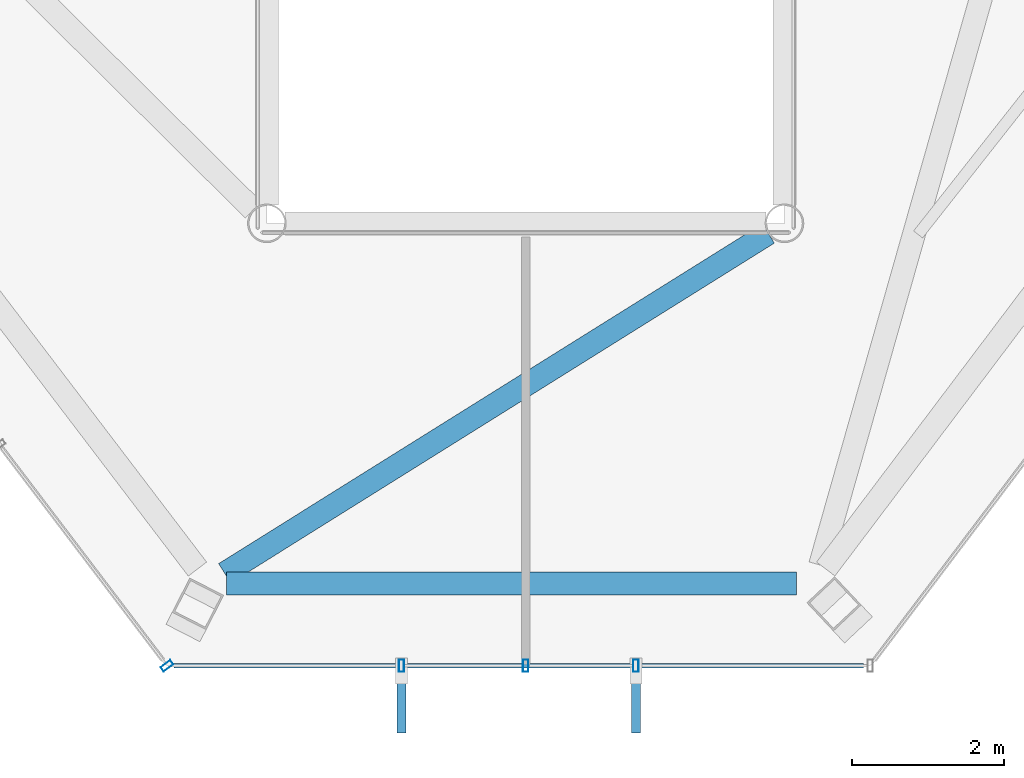
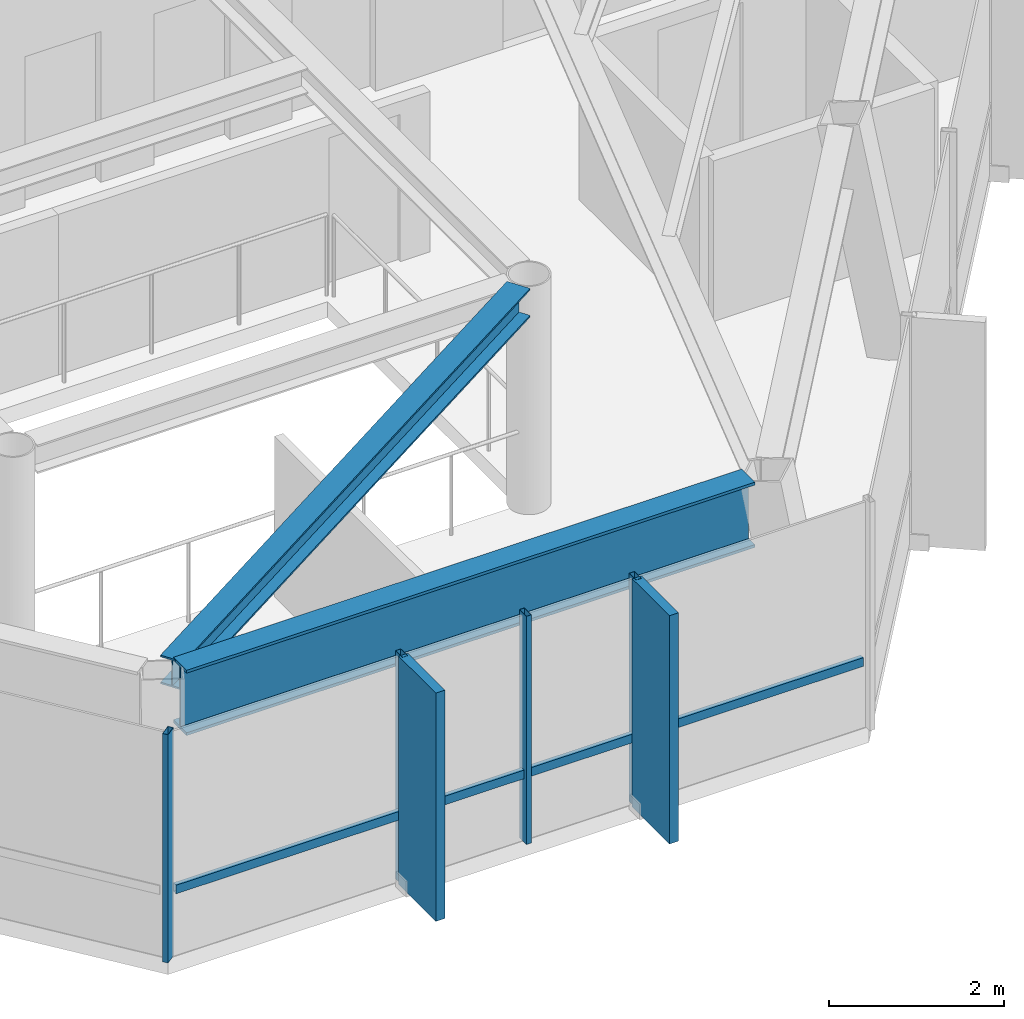
# One storey, part 5 of 25: 7 members, 2 beams, 2 elements without a shape of their own.
"""IFC4 building model written with IfcOpenShell, lengths in metres."""

from ifc_helpers import new_model, si_unit, direction, frame, origin, origin_2d, place, context, subcontext, project, spatial, rectangle, hollow_rectangle, i_section, extrude, material, layer, layer_set, material_profile, profile_set, type_object, element, aggregate, save


model = new_model("IFC4")

# Units and contexts
model_context = context("Model", 3, precision=1e-05, world=origin(), true_north=direction((0.0, 1.0)))
body_context = subcontext(model_context, "Body", "Model", "MODEL_VIEW")
ifc_project = project(units=[si_unit("LENGTHUNIT", "METRE"), si_unit("AREAUNIT", "SQUARE_METRE"), si_unit("VOLUMEUNIT", "CUBIC_METRE"), si_unit("PLANEANGLEUNIT", "RADIAN"), si_unit("MASSUNIT", "GRAM", prefix="KILO")], contexts=[model_context])

# Site, building, storey
site_placement = place(None, origin())
site = spatial("IfcSite", under=ifc_project, at=site_placement, CompositionType="ELEMENT")
building_placement = place(site_placement, origin())
building = spatial("IfcBuilding", under=site, at=building_placement, Name="Zarrinselat Tower", CompositionType="ELEMENT")
storey_placement = place(building_placement, frame((0.0, 0.0, 275.39990234375)))
storey = spatial("IfcBuildingStorey", under=building, at=storey_placement, Name="L70", CompositionType="ELEMENT", Elevation=275.39990234375)

# Beams
ifc_material_1 = material(Name="Steel S355J2", Category="steel")
ifc_material_profile_1 = material_profile(ifc_material_1, i_section(OverallWidth=0.300048828125, OverallDepth=0.39990234375, WebThickness=0.013427734375, FlangeThickness=0.02392578125, at=origin_2d()), Name="HEB 400")
ifc_profile_set_1 = profile_set([ifc_material_profile_1], Name="Steel S355J2")
beam_type_1 = type_object("IfcBeamType", Name="BM-HEB400", PredefinedType="BEAM", material=ifc_profile_set_1)
beam_1_placement = place(storey_placement, frame((34.44580078125, 20.602783203125, 2.97998046875), z_axis=(0.847955962222, 0.530066680835, 0.0), x_axis=(-0.530066680835, 0.847955962222, 0.0)))
element("IfcBeam", 1, at=beam_1_placement, inside=storey, type_object=beam_type_1, Name="L70 Radial Primary Girder RG10", PredefinedType="BEAM", context=body_context, shape_type="SweptSolid", body=[
    extrude(i_section(OverallWidth=0.300048828125, OverallDepth=0.39990234375, WebThickness=0.013427734375, FlangeThickness=0.02392578125, at=origin_2d()), origin(), (0.0, 0.0, 1.0), 8.422607421875),
])
ifc_material_2 = material(Name="Steel S460M", Category="steel")
ifc_material_profile_2 = material_profile(ifc_material_2, i_section(OverallWidth=0.302001953125, OverallDepth=0.909912109375, WebThickness=0.02099609375, FlangeThickness=0.0400390625, at=origin_2d()), Name="HEM 900")
ifc_profile_set_2 = profile_set([ifc_material_profile_2], Name="Steel S460M")
beam_type_2 = type_object("IfcBeamType", Name="BM-HEM900", PredefinedType="BEAM", material=ifc_profile_set_2)
beam_2_placement = place(storey_placement, frame((34.469970703125, 20.468994140625, 2.72509765625), z_axis=(1.0, 0.0, 0.0), x_axis=(0.0, 1.0, 0.0)))
element("IfcBeam", 2, at=beam_2_placement, inside=storey, type_object=beam_type_2, Name="L70 Perimeter Spandrel Girder SP10", PredefinedType="BEAM", context=body_context, shape_type="SweptSolid", body=[
    extrude(i_section(OverallWidth=0.302001953125, OverallDepth=0.909912109375, WebThickness=0.02099609375, FlangeThickness=0.0400390625, at=origin_2d()), origin(), (0.0, 0.0, 1.0), 7.490966796875),
])

# Curtain wall, member
ifc_material_3 = material(Name="Extruded Aluminium Alloy EN AW-6063 T6", Category="aluminium")
ifc_layer = layer(ifc_material_3, 0.169921875)
ifc_layer_set = layer_set([ifc_layer], Name="Extruded Aluminium Alloy EN AW-6063 T6")
curtain_wall_type = type_object("IfcCurtainWallType", Name="CWS-RES", PredefinedType="NOTDEFINED", material=ifc_layer_set)
curtain_wall_1_placement = place(storey_placement, origin())
curtain_wall_1 = element("IfcCurtainWall", 3, at=curtain_wall_1_placement, inside=storey, type_object=curtain_wall_type, Name="L70 Unitised Curtain Wall CW-L70-E03", PredefinedType="NOTDEFINED")
ifc_material_4 = material(Name="Extruded Aluminium Alloy EN AW-6063 T6", Category="aluminium")
ifc_material_profile_3 = material_profile(ifc_material_4, hollow_rectangle(XDim=0.070068359375, YDim=0.159912109375, WallThickness=0.00390625, at=origin_2d()), Name="RHS 160x70x4")
ifc_profile_set_3 = profile_set([ifc_material_profile_3], Name="Extruded Aluminium Alloy EN AW-6063 T6")
member_type_1 = type_object("IfcMemberType", Name="MEM-CW-MUL2", PredefinedType="MULLION", material=ifc_profile_set_3)
member_1_placement = place(storey_placement, frame((33.6884765625, 19.387939453125, 0.0), z_axis=(0.0, 0.0, 1.0), x_axis=(0.604787567266, -0.796386839721, 0.0)))
member_1 = element("IfcMember", 4, at=member_1_placement, type_object=member_type_1, Name="CW-L70-E03 Mullion 11", PredefinedType="MULLION", context=body_context, shape_type="SweptSolid", body=[
    extrude(hollow_rectangle(XDim=0.070068359375, YDim=0.159912109375, WallThickness=0.00390625, at=origin_2d()), origin(), (0.0, 0.0, 1.0), 3.18017578125),
])
aggregate(curtain_wall_1, [member_1])

# Curtain wall, members
curtain_wall_2_placement = place(storey_placement, origin())
curtain_wall_2 = element("IfcCurtainWall", 5, at=curtain_wall_2_placement, inside=storey, type_object=curtain_wall_type, Name="L70 Unitised Curtain Wall CW-L70-E04", PredefinedType="NOTDEFINED")
member_2_placement = place(storey_placement, frame((36.76806640625, 19.387939453125, 0.0), z_axis=(0.0, 0.0, 1.0), x_axis=(1.0, 0.0, 0.0)))
member_2 = element("IfcMember", 6, at=member_2_placement, type_object=member_type_1, Name="CW-L70-E04 Mullion 1", PredefinedType="MULLION", context=body_context, shape_type="SweptSolid", body=[
    extrude(hollow_rectangle(XDim=0.070068359375, YDim=0.159912109375, WallThickness=0.00390625, at=origin_2d()), origin(), (0.0, 0.0, 1.0), 3.18017578125),
])
member_3_placement = place(storey_placement, frame((38.39990234375, 19.387939453125, 0.0), z_axis=(0.0, 0.0, 1.0), x_axis=(1.0, 0.0, 0.0)))
member_3 = element("IfcMember", 7, at=member_3_placement, type_object=member_type_1, Name="CW-L70-E04 Mullion 2", PredefinedType="MULLION", context=body_context, shape_type="SweptSolid", body=[
    extrude(hollow_rectangle(XDim=0.070068359375, YDim=0.159912109375, WallThickness=0.00390625, at=origin_2d()), origin(), (0.0, 0.0, 1.0), 3.18017578125),
])
member_4_placement = place(storey_placement, frame((39.84765625, 19.387939453125, 0.0), z_axis=(0.0, 0.0, 1.0), x_axis=(1.0, 0.0, 0.0)))
member_4 = element("IfcMember", 8, at=member_4_placement, type_object=member_type_1, Name="CW-L70-E04 Mullion 3", PredefinedType="MULLION", context=body_context, shape_type="SweptSolid", body=[
    extrude(hollow_rectangle(XDim=0.070068359375, YDim=0.159912109375, WallThickness=0.00390625, at=origin_2d()), origin(), (0.0, 0.0, 1.0), 3.18017578125),
])
ifc_material_5 = material(Name="Extruded Aluminium Alloy EN AW-6063 T6", Category="aluminium")
ifc_material_profile_4 = material_profile(ifc_material_5, hollow_rectangle(XDim=0.06005859375, YDim=0.1201171875, WallThickness=0.00390625, at=origin_2d()), Name="RHS 120x60x4")
ifc_profile_set_4 = profile_set([ifc_material_profile_4], Name="Extruded Aluminium Alloy EN AW-6063 T6")
member_type_2 = type_object("IfcMemberType", Name="MEM-CW-TRN2", PredefinedType="USERDEFINED", material=ifc_profile_set_4)
member_5_placement = place(storey_placement, frame((33.778564453125, 19.387939453125, 0.9501953125), z_axis=(1.0, 0.0, 0.0), x_axis=(0.0, 1.0, 0.0)))
member_5 = element("IfcMember", 9, at=member_5_placement, type_object=member_type_2, Name="CW-L70-E04 Transom 1", ObjectType="TRANSOM", PredefinedType="USERDEFINED", context=body_context, shape_type="SweptSolid", body=[
    extrude(hollow_rectangle(XDim=0.06005859375, YDim=0.1201171875, WallThickness=0.00390625, at=origin_2d()), origin(), (0.0, 0.0, 1.0), 9.05859375),
])
ifc_material_6 = material(Name="Honed Cream Travertine Stone", Category="masonry")
ifc_material_profile_5 = material_profile(ifc_material_6, rectangle(XDim=0.1201171875, YDim=0.85009765625, at=origin_2d()), Name="FIN 850x120")
ifc_profile_set_5 = profile_set([ifc_material_profile_5], Name="Honed Cream Travertine Stone")
member_type_3 = type_object("IfcMemberType", Name="MEM-STONE-FIN", PredefinedType="USERDEFINED", material=ifc_profile_set_5)
member_6_placement = place(storey_placement, frame((36.76806640625, 18.927978515625, 0.0), z_axis=(0.0, 0.0, 1.0), x_axis=(-1.0, 0.0, 0.0)))
member_6 = element("IfcMember", 10, at=member_6_placement, type_object=member_type_3, Name="L70 Stone Shading Fin CW-L70-E04-01", ObjectType="FIN", PredefinedType="USERDEFINED", context=body_context, shape_type="SweptSolid", body=[
    extrude(rectangle(XDim=0.1201171875, YDim=0.85009765625, at=origin_2d()), origin(), (0.0, 0.0, 1.0), 3.18017578125),
])
member_7_placement = place(storey_placement, frame((39.84765625, 18.927978515625, 0.0), z_axis=(0.0, 0.0, 1.0), x_axis=(-1.0, 0.0, 0.0)))
member_7 = element("IfcMember", 11, at=member_7_placement, type_object=member_type_3, Name="L70 Stone Shading Fin CW-L70-E04-03", ObjectType="FIN", PredefinedType="USERDEFINED", context=body_context, shape_type="SweptSolid", body=[
    extrude(rectangle(XDim=0.1201171875, YDim=0.85009765625, at=origin_2d()), origin(), (0.0, 0.0, 1.0), 3.18017578125),
])
aggregate(curtain_wall_2, [member_2, member_6, member_3, member_4, member_7, member_5])

save(model, "model.ifc")
